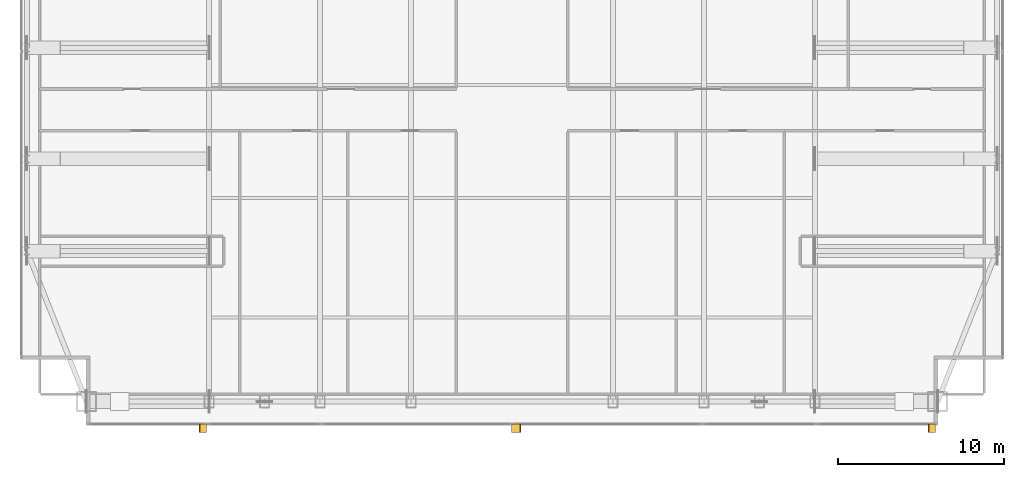
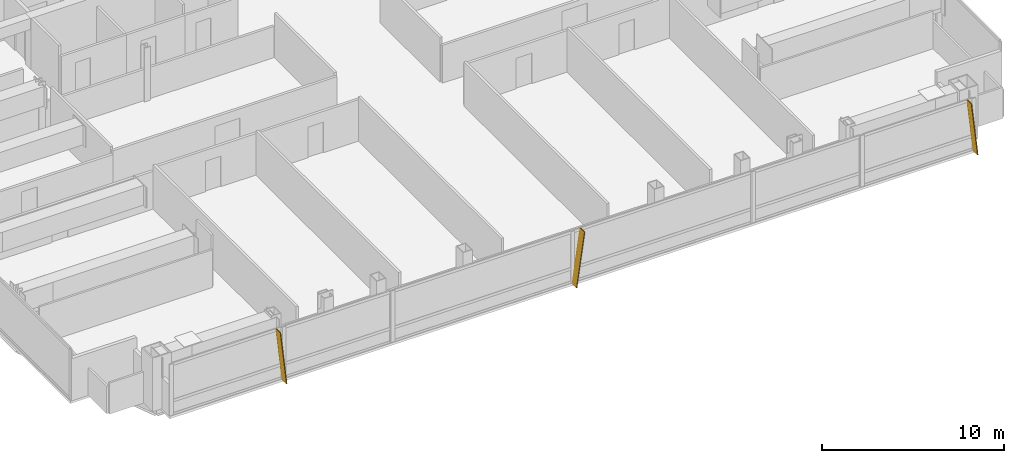
# One storey, part 25 of 26: 3 shading devices.
"""IFC4 building model written with IfcOpenShell, lengths in metres."""

import ifcopenshell
import ifcopenshell.guid

model = None  # the IFC model being written
_history = None  # IfcOwnerHistory: only IFC2X3 demands one
_inside = {}  # id of a spatial element -> (the spatial element, [elements in it])
_under = {}  # id of a project, library or spatial element -> (it, [spatial elements below it])
_declared = {}  # id of a project -> (the project, [libraries it declares])
_typed = {}  # id of a type object -> (the type object, [elements of that type])
_made_of = {}  # id of a material, layer set ... -> (it, [elements and type objects made of it])


def new_model(schema):
    """Start an empty IFC model of exactly this schema.

    Asked for "IFC4X3", IfcOpenShell would pick the latest addendum, in which some entities
    have other attributes; the version numbers below select the first issue.
    IFC2X3 requires an IfcOwnerHistory on every rooted entity: one is made here for all.
    """
    global model, _history
    if schema == "IFC4X3":
        model = ifcopenshell.file(schema_version=(4, 3, 0, 0))
    else:
        model = ifcopenshell.file(schema=schema)
    _inside.clear()
    _under.clear()
    _declared.clear()
    _typed.clear()
    _made_of.clear()
    _history = None
    if model.schema == "IFC2X3":
        org = make("IfcOrganization", Name="unknown")
        user = make(
            "IfcPersonAndOrganization",
            ThePerson=make("IfcPerson", FamilyName="unknown"),
            TheOrganization=org,
        )
        app = make(
            "IfcApplication",
            ApplicationDeveloper=org,
            Version="unknown",
            ApplicationFullName="unknown",
            ApplicationIdentifier="unknown",
        )
        _history = make(
            "IfcOwnerHistory",
            OwningUser=user,
            OwningApplication=app,
            ChangeAction="ADDED",
            CreationDate=0,
        )
    return model


def make(cls, **values):
    """One entity of the class cls with the attributes given. An attribute that is None is left unset."""
    return model.create_entity(
        cls, **{name: value for name, value in values.items() if value is not None}
    )


def rooted(cls, **values):
    """An entity with a GlobalId (a new one), such as an element, a storey or a relation."""
    return make(cls, GlobalId=ifcopenshell.guid.new(), OwnerHistory=_history, **values)


def si_unit(unit_type, name, prefix=None):
    """IfcSIUnit, for example si_unit("LENGTHUNIT", "METRE", prefix="MILLI")."""
    return make("IfcSIUnit", UnitType=unit_type, Prefix=prefix, Name=name)


def assignment(units):
    """IfcUnitAssignment: the units of a project."""
    return None if units is None else make("IfcUnitAssignment", Units=units)


def point(xyz):
    """IfcCartesianPoint."""
    return None if xyz is None else make("IfcCartesianPoint", Coordinates=xyz)


def direction(xyz):
    """IfcDirection."""
    return None if xyz is None else make("IfcDirection", DirectionRatios=xyz)


def frame(location, z_axis=None, x_axis=None):
    """IfcAxis2Placement3D, a coordinate frame: its origin and axes. An axis left out is left unset."""
    return make(
        "IfcAxis2Placement3D",
        Location=point(location),
        Axis=direction(z_axis),
        RefDirection=direction(x_axis),
    )


def origin():
    """The frame at (0, 0, 0) with its axes left unset."""
    return frame((0.0, 0.0, 0.0))


def place(relative_to, where):
    """IfcLocalPlacement: puts the frame where relative to a parent placement (None: the world)."""
    return make(
        "IfcLocalPlacement", PlacementRelTo=relative_to, RelativePlacement=where
    )


def context(
    kind, dimensions, precision=None, world=None, true_north=None, identifier=None
):
    """IfcGeometricRepresentationContext, for example the 3D "Model" context."""
    return make(
        "IfcGeometricRepresentationContext",
        ContextIdentifier=identifier,
        ContextType=kind,
        CoordinateSpaceDimension=dimensions,
        Precision=precision,
        WorldCoordinateSystem=world,
        TrueNorth=true_north,
    )


def subcontext(parent, identifier, kind, view, scale=None):
    """IfcGeometricRepresentationSubContext, for example "Body" below "Model"."""
    return make(
        "IfcGeometricRepresentationSubContext",
        ContextIdentifier=identifier,
        ContextType=kind,
        ParentContext=parent,
        TargetScale=scale,
        TargetView=view,
    )


def project(units=None, contexts=None):
    """IfcProject with its units and contexts."""
    return rooted(
        "IfcProject",
        Name="project",
        RepresentationContexts=contexts,
        UnitsInContext=assignment(units),
    )


def spatial(cls, under=None, at=None, **own):
    """A site, building, storey or space (cls), placed at a placement, below another one or the project."""
    s = rooted(cls, ObjectPlacement=at, **own)
    if under is not None:
        _under.setdefault(under.id(), (under, []))[1].append(s)
    return s


def polyline(points):
    """IfcPolyline through the points."""
    return make("IfcPolyline", Points=[point(p) for p in points])


def outline(outer, holes=None, kind="AREA"):
    """IfcArbitraryClosedProfileDef: a profile drawn as a closed curve; with holes, ...WithVoids."""
    if holes is None:
        return make("IfcArbitraryClosedProfileDef", ProfileType=kind, OuterCurve=outer)
    return make(
        "IfcArbitraryProfileDefWithVoids",
        ProfileType=kind,
        OuterCurve=outer,
        InnerCurves=holes,
    )


def extrude(swept, where, along, depth):
    """IfcExtrudedAreaSolid: the profile swept, set in the frame where, extruded along a direction by depth."""
    return make(
        "IfcExtrudedAreaSolid",
        SweptArea=swept,
        Position=where,
        ExtrudedDirection=direction(along),
        Depth=depth,
    )


def shape(context_of_items, identifier, shape_type, items):
    """IfcShapeRepresentation: the items that make up one representation, for example the "Body"."""
    return make(
        "IfcShapeRepresentation",
        ContextOfItems=context_of_items,
        RepresentationIdentifier=identifier,
        RepresentationType=shape_type,
        Items=items,
    )


def material(Name=None, Category=None):
    """IfcMaterial."""
    return make("IfcMaterial", Name=Name, Category=Category)


def layer(
    of_material, thickness, ventilated=None, Name=None, Category=None, Priority=None
):
    """IfcMaterialLayer: one layer of a wall or slab, of a material (None: an air gap)."""
    return make(
        "IfcMaterialLayer",
        Material=of_material,
        LayerThickness=thickness,
        IsVentilated=ventilated,
        Name=Name,
        Category=Category,
        Priority=Priority,
    )


def layer_set(layers, Name=None):
    """IfcMaterialLayerSet."""
    return make("IfcMaterialLayerSet", MaterialLayers=layers, LayerSetName=Name)


def made_of(thing, what):
    """Note that an element or type object is made of a material, layer set ...; save() writes the relation."""
    if what is not None:
        _made_of.setdefault(what.id(), (what, []))[1].append(thing)
    return thing


def type_object(cls, material=None, **own):
    """A type object (cls), such as IfcWallType, which elements share."""
    return made_of(rooted(cls, **own), material)


def element(
    cls,
    number,
    at=None,
    inside=None,
    cuts=None,
    type_object=None,
    material=None,
    context=None,
    identifier="Body",
    shape_type=None,
    held_by="IfcProductDefinitionShape",
    body=None,
    shapes=None,
    **own,
):
    """One element of the class cls, such as IfcWall. Its Tag is "e" and its number.

    at: its placement. inside: the storey or other place that contains it. cuts: it is an
    opening in that element (IfcRelVoidsElement). A single representation is given by context,
    identifier, shape_type and body (its items); several are given by shapes. held_by: the class
    of the entity that holds the representations. save() writes the other relations.
    """
    e = rooted(cls, Tag="e%d" % number, ObjectPlacement=at, **own)
    if body is not None:
        shapes = [shape(context, identifier, shape_type, body)]
    if shapes is not None:
        e.Representation = make(held_by, Representations=shapes)
    if inside is not None:
        _inside.setdefault(inside.id(), (inside, []))[1].append(e)
    if cuts is not None:
        rooted(
            "IfcRelVoidsElement", RelatingBuildingElement=cuts, RelatedOpeningElement=e
        )
    if type_object is not None:
        _typed.setdefault(type_object.id(), (type_object, []))[1].append(e)
    return made_of(e, material)


def aggregate(whole, parts):
    """IfcRelAggregates: a whole, such as a stair, and the parts it consists of."""
    return rooted("IfcRelAggregates", RelatingObject=whole, RelatedObjects=parts)


def save(model, path):
    """Write the relations noted so far, then the file.

    IfcRelAggregates (storeys below a building ...), IfcRelContainedInSpatialStructure (elements
    in a storey), IfcRelDefinesByType, IfcRelAssociatesMaterial and IfcRelDeclares: one each for
    every whole, place, type object, material and project.
    """
    for whole, parts in _under.values():
        aggregate(whole, parts)
    for where, things in _inside.values():
        rooted(
            "IfcRelContainedInSpatialStructure",
            RelatedElements=things,
            RelatingStructure=where,
        )
    for kind, things in _typed.values():
        rooted("IfcRelDefinesByType", RelatedObjects=things, RelatingType=kind)
    for what, things in _made_of.values():
        rooted("IfcRelAssociatesMaterial", RelatedObjects=things, RelatingMaterial=what)
    for by, libraries in _declared.values():
        rooted("IfcRelDeclares", RelatingContext=by, RelatedDefinitions=libraries)
    model.write(path)


model = new_model("IFC4")

# Units and contexts
model_context = context("Model", 3, precision=1e-05, world=origin(), true_north=direction((0.0, 1.0)))
body_context = subcontext(model_context, "Body", "Model", "MODEL_VIEW")
ifc_project = project(units=[si_unit("LENGTHUNIT", "METRE"), si_unit("AREAUNIT", "SQUARE_METRE"), si_unit("VOLUMEUNIT", "CUBIC_METRE"), si_unit("PLANEANGLEUNIT", "RADIAN"), si_unit("MASSUNIT", "GRAM", prefix="KILO")], contexts=[model_context])

# Site, building, storey
site_placement = place(None, origin())
site = spatial("IfcSite", under=ifc_project, at=site_placement, CompositionType="ELEMENT")
building_placement = place(site_placement, origin())
building = spatial("IfcBuilding", under=site, at=building_placement, Name="Khoronbel Lancet Exchange", CompositionType="ELEMENT")
storey_placement = place(building_placement, frame((0.0, 0.0, 235.39990234375)))
storey = spatial("IfcBuildingStorey", under=building, at=storey_placement, Name="L60", CompositionType="ELEMENT", Elevation=235.39990234375)

# Shading devices
ifc_material = material(Name="Bronze-Anodised Aluminium 6063-T6", Category="aluminium")
ifc_layer = layer(ifc_material, 0.054931640625, Name="Bronze-Anodised Aluminium 6063-T6")
ifc_layer_set = layer_set([ifc_layer], Name="Bronze-Anodised Aluminium 6063-T6")
shading_device_type = type_object("IfcShadingDeviceType", Name="SHD-FIN1", PredefinedType="USERDEFINED", material=ifc_layer_set)
shading_device_1_placement = place(storey_placement, frame((18.072509765625, 8.81005859375, -0.079833984375), z_axis=(0.99389951861, 0.0, 0.110289378034), x_axis=(0.0, -1.0, 0.0)))
element("IfcShadingDevice", 1, at=shading_device_1_placement, inside=storey, type_object=shading_device_type, Name="Slanted bronze solar fin CW-L60-SWV-1", ObjectType="FIN", PredefinedType="USERDEFINED", context=body_context, shape_type="SweptSolid", body=[
    extrude(outline(polyline([(0.0, 0.0), (0.52001953125, 0.0), (0.52001953125, -3.58154296875), (0.0, -3.58154296875), (0.0, 0.0)])), origin(), (0.0, 0.0, -1.0), 0.054931640625),
])
shading_device_2_placement = place(storey_placement, frame((36.422607421875, 8.81005859375, -0.079833984375), z_axis=(-0.990091586433, 0.0, 0.14042311232), x_axis=(0.0, -1.0, 0.0)))
element("IfcShadingDevice", 2, at=shading_device_2_placement, inside=storey, type_object=shading_device_type, Name="Slanted bronze solar fin CW-L60-SCV-1", ObjectType="FIN", PredefinedType="USERDEFINED", context=body_context, shape_type="SweptSolid", body=[
    extrude(outline(polyline([(0.0, 0.0), (0.52001953125, 0.0), (0.52001953125, 3.595458984375), (0.0, 3.595458984375), (0.0, 0.0)])), origin(), (0.0, 0.0, -1.0), 0.054931640625),
])
shading_device_3_placement = place(storey_placement, frame((61.9326171875, 8.81005859375, -0.079833984375), z_axis=(0.99389951861, 0.0, 0.110289378034), x_axis=(0.0, -1.0, 0.0)))
element("IfcShadingDevice", 3, at=shading_device_3_placement, inside=storey, type_object=shading_device_type, Name="Slanted bronze solar fin CW-L60-SEV-1", ObjectType="FIN", PredefinedType="USERDEFINED", context=body_context, shape_type="SweptSolid", body=[
    extrude(outline(polyline([(0.0, 0.0), (0.52001953125, 0.0), (0.52001953125, -3.58154296875), (0.0, -3.58154296875), (0.0, 0.0)])), origin(), (0.0, 0.0, -1.0), 0.054931640625),
])

save(model, "model.ifc")
